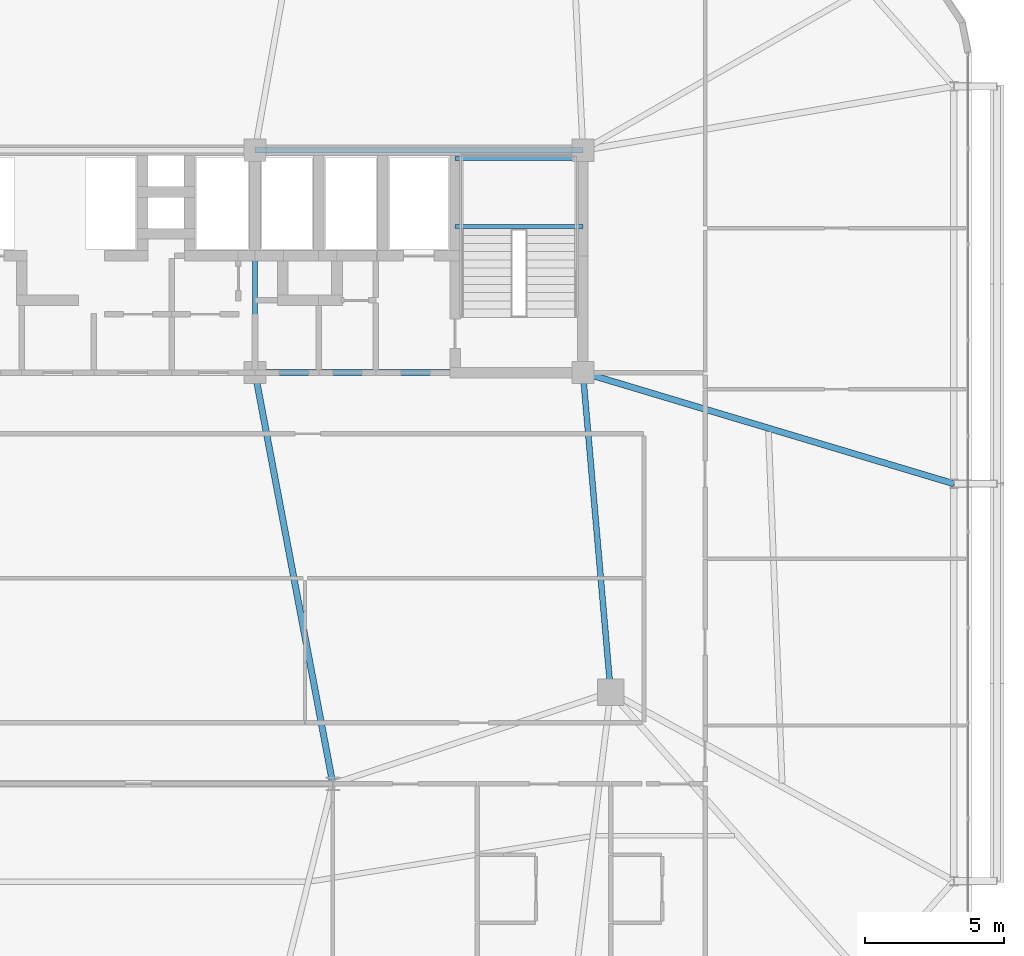
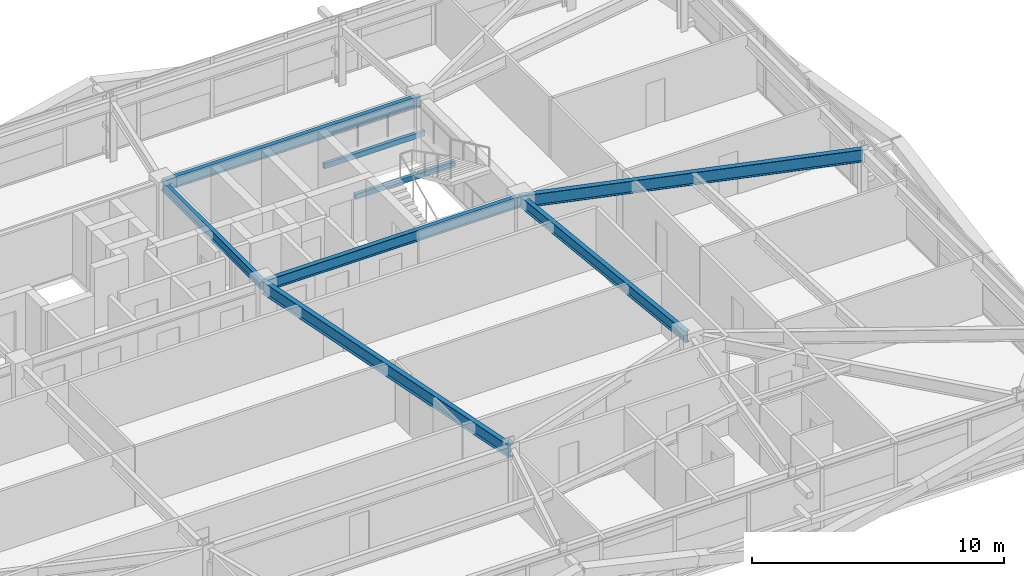
# One storey, part 29 of 59: 8 beams.
"""IFC4 building model written with IfcOpenShell, lengths in metres."""

from ifc_helpers import new_model, si_unit, direction, frame, origin, origin_2d, place, context, subcontext, project, spatial, hollow_rectangle, i_section, extrude, source, transform, mapped, material, material_profile, profile_set, type_object, element, save


model = new_model("IFC4")

# Units and contexts
model_context = context("Model", 3, precision=1e-05, world=origin(), true_north=direction((0.0, 1.0)))
body_context = subcontext(model_context, "Body", "Model", "MODEL_VIEW")
ifc_project = project(units=[si_unit("LENGTHUNIT", "METRE"), si_unit("AREAUNIT", "SQUARE_METRE"), si_unit("VOLUMEUNIT", "CUBIC_METRE"), si_unit("PLANEANGLEUNIT", "RADIAN"), si_unit("MASSUNIT", "GRAM", prefix="KILO")], contexts=[model_context])

# Site, building, storey
site_placement = place(None, origin())
site = spatial("IfcSite", under=ifc_project, at=site_placement, CompositionType="ELEMENT")
building_placement = place(site_placement, origin())
building = spatial("IfcBuilding", under=site, at=building_placement, Name="Taldren Reach Tower", CompositionType="ELEMENT")
storey_placement = place(building_placement, frame((0.0, 0.0, 29.39990234375)))
storey = spatial("IfcBuildingStorey", under=building, at=storey_placement, Name="L08", CompositionType="ELEMENT", Elevation=29.39990234375)

# Beams
ifc_material_1 = material(Name="Steel Gr 350 (350PLUS)", Category="steel")
ifc_material_profile_1 = material_profile(ifc_material_1, i_section(OverallWidth=0.208984375, OverallDepth=0.532958984375, WebThickness=0.01025390625, FlangeThickness=0.015625, at=origin_2d()), Name="530UB92.4")
ifc_profile_set_1 = profile_set([ifc_material_profile_1], Name="Steel Gr 350 (350PLUS)")
beam_type_1 = type_object("IfcBeamType", Name="BM-UB530A", PredefinedType="BEAM", material=ifc_profile_set_1)
shared_shape_1 = source(origin(), body_context, "Body", "SweptSolid", [
    extrude(i_section(OverallWidth=0.208984375, OverallDepth=0.532958984375, WebThickness=0.01025390625, FlangeThickness=0.015625, at=origin_2d()), origin(), (0.0, 0.0, 1.0), 11.800048828125),
])
for number, where, z_axis, x_axis, name in (
    (1, (39.199951171875, 24.0, 2.66357421875), (1.0, 0.0, 0.0), (0.0, 1.0, 0.0), "Core-spine girder L08-SP03"),
    (2, (39.199951171875, 32.0, 2.66357421875), (1.0, 0.0, 0.0), (0.0, 1.0, 0.0), "Core-spine girder L08-SP06"),
):
    element("IfcBeam", number, at=place(storey_placement, frame(where, z_axis=z_axis, x_axis=x_axis)), inside=storey, type_object=beam_type_1, Name=name, PredefinedType="BEAM", context=body_context, shape_type="MappedRepresentation", body=[
        mapped(shared_shape_1, transform((0.0, 0.0, 0.0), scale=1.0)),
    ])
ifc_material_profile_2 = material_profile(ifc_material_1, i_section(OverallWidth=0.19091796875, OverallDepth=0.4599609375, WebThickness=0.010009765625, FlangeThickness=0.01611328125, at=origin_2d()), Name="460UB82.1")
ifc_profile_set_2 = profile_set([ifc_material_profile_2], Name="Steel Gr 350 (350PLUS)")
beam_type_2 = type_object("IfcBeamType", Name="BM-UB460A", PredefinedType="BEAM", material=ifc_profile_set_2)
shared_shape_2 = source(origin(), body_context, "Body", "SweptSolid", [
    extrude(i_section(OverallWidth=0.19091796875, OverallDepth=0.4599609375, WebThickness=0.010009765625, FlangeThickness=0.01611328125, at=origin_2d()), origin(), (0.0, 0.0, 1.0), 8.0),
])
beam_1_placement = place(storey_placement, frame((39.199951171875, 24.0, 2.7001953125), z_axis=(0.0, 1.0, 0.0), x_axis=(-1.0, 0.0, 0.0)))
element("IfcBeam", 3, at=beam_1_placement, inside=storey, type_object=beam_type_2, Name="Core-spine girder L08-SP08", PredefinedType="BEAM", context=body_context, shape_type="MappedRepresentation", body=[
    mapped(shared_shape_2, transform((0.0, 0.0, 0.0), scale=1.0)),
])
shared_shape_3 = source(origin(), body_context, "Body", "SweptSolid", [
    extrude(i_section(OverallWidth=0.208984375, OverallDepth=0.532958984375, WebThickness=0.01025390625, FlangeThickness=0.015625, at=origin_2d()), origin(), (0.0, 0.0, 1.0), 11.54345703125),
])
beam_2_placement = place(storey_placement, frame((52.0, 12.5, 2.66357421875), z_axis=(-0.086629616365, 0.996240588196, 0.0), x_axis=(-0.996240588196, -0.086629616365, 0.0)))
element("IfcBeam", 4, at=beam_2_placement, inside=storey, type_object=beam_type_1, Name="Core-spine girder L08-SP13", PredefinedType="BEAM", context=body_context, shape_type="MappedRepresentation", body=[
    mapped(shared_shape_3, transform((0.0, 0.0, 0.0), scale=1.0)),
])
ifc_material_profile_3 = material_profile(ifc_material_1, i_section(OverallWidth=0.22802734375, OverallDepth=0.60205078125, WebThickness=0.010498046875, FlangeThickness=0.014892578125, at=origin_2d()), Name="610UB101")
ifc_profile_set_3 = profile_set([ifc_material_profile_3], Name="Steel Gr 350 (350PLUS)")
beam_type_3 = type_object("IfcBeamType", Name="BM-UB610B", PredefinedType="BEAM", material=ifc_profile_set_3)
shared_shape_4 = source(origin(), body_context, "Body", "SweptSolid", [
    extrude(i_section(OverallWidth=0.22802734375, OverallDepth=0.60205078125, WebThickness=0.010498046875, FlangeThickness=0.014892578125, at=origin_2d()), origin(), (0.0, 0.0, 1.0), 15.0625),
])
beam_3_placement = place(storey_placement, frame((39.199951171875, 24.0, 2.629150390625), z_axis=(0.185894205668, -0.982569765614, 0.0), x_axis=(0.982569765614, 0.185894205668, 0.0)))
element("IfcBeam", 5, at=beam_3_placement, inside=storey, type_object=beam_type_3, Name="Core-spine girder L08-SP15", PredefinedType="BEAM", context=body_context, shape_type="MappedRepresentation", body=[
    mapped(shared_shape_4, transform((0.0, 0.0, 0.0), scale=1.0)),
])
shared_shape_5 = source(origin(), body_context, "Body", "SweptSolid", [
    extrude(i_section(OverallWidth=0.22802734375, OverallDepth=0.60205078125, WebThickness=0.010498046875, FlangeThickness=0.014892578125, at=origin_2d()), origin(), (0.0, 0.0, 1.0), 13.9365234375),
])
beam_4_placement = place(storey_placement, frame((51.0, 24.0, 2.629150390625), z_axis=(0.957925550891, -0.287016792104, 0.0), x_axis=(0.287016792104, 0.957925550891, 0.0)))
element("IfcBeam", 6, at=beam_4_placement, inside=storey, type_object=beam_type_3, Name="Primary floor girder B1-E2 L08", PredefinedType="BEAM", context=body_context, shape_type="MappedRepresentation", body=[
    mapped(shared_shape_5, transform((0.0, 0.0, 0.0), scale=1.0)),
])
ifc_material_2 = material(Name="Steel Gr 350 (C350L0)", Category="steel")
ifc_material_profile_4 = material_profile(ifc_material_2, hollow_rectangle(XDim=0.14990234375, YDim=0.25, WallThickness=0.009033203125, at=origin_2d()), Name="250x150x9.0RHS")
ifc_profile_set_4 = profile_set([ifc_material_profile_4], Name="Steel Gr 350 (C350L0)")
beam_type_4 = type_object("IfcBeamType", Name="LN-RHS250", PredefinedType="LINTEL", material=ifc_profile_set_4)
shared_shape_6 = source(origin(), body_context, "Body", "SweptSolid", [
    extrude(hollow_rectangle(XDim=0.14990234375, YDim=0.25, WallThickness=0.009033203125, at=origin_2d()), origin(), (0.0, 0.0, 1.0), 4.60009765625),
])
for number, where, z_axis, x_axis, name in (
    (7, (46.39990234375, 29.2548828125, 1.27001953125), (1.0, 0.0, 0.0), (0.0, 1.0, 0.0), "Stair half-landing support beam ST2-L08-1"),
    (8, (46.39990234375, 31.699951171875, 1.27001953125), (1.0, 0.0, 0.0), (0.0, 1.0, 0.0), "Stair half-landing support beam ST2-L08-2"),
):
    element("IfcBeam", number, at=place(storey_placement, frame(where, z_axis=z_axis, x_axis=x_axis)), inside=storey, type_object=beam_type_4, Name=name, PredefinedType="LINTEL", context=body_context, shape_type="MappedRepresentation", body=[
        mapped(shared_shape_6, transform((0.0, 0.0, 0.0), scale=1.0)),
    ])

save(model, "model.ifc")
